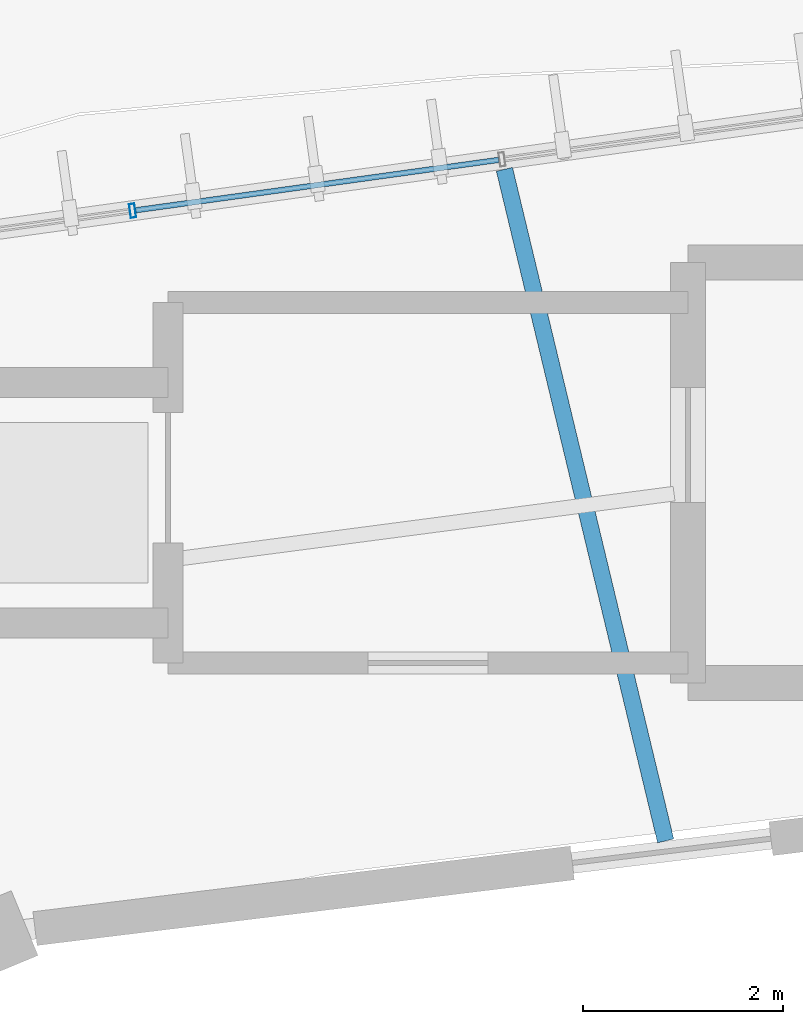
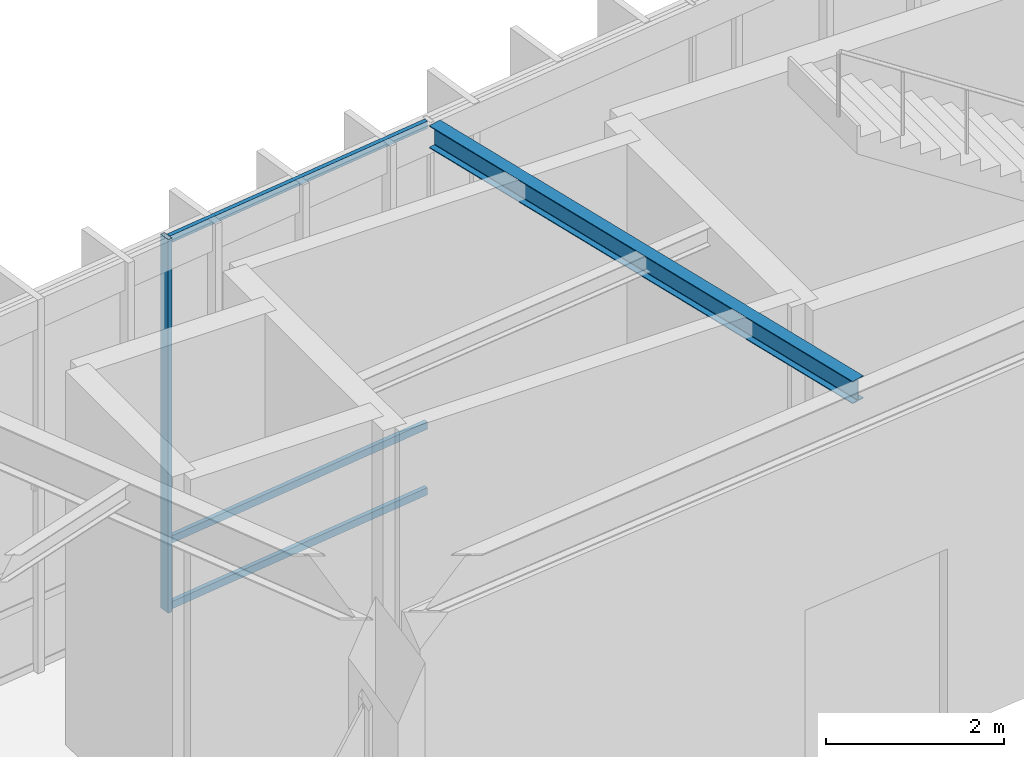
# One storey, part 71 of 157: 4 members, 1 beam, 1 element without a shape of its own.
"""IFC4 building model written with IfcOpenShell, lengths in metres."""

from ifc_helpers import new_model, si_unit, direction, frame, origin, origin_2d, place, context, subcontext, project, spatial, hollow_rectangle, i_section, extrude, material, material_profile, profile_set, type_object, element, aggregate, save


model = new_model("IFC4")

# Units and contexts
model_context = context("Model", 3, precision=1e-05, world=origin(), true_north=direction((0.0, 1.0)))
body_context = subcontext(model_context, "Body", "Model", "MODEL_VIEW")
ifc_project = project(units=[si_unit("LENGTHUNIT", "METRE"), si_unit("AREAUNIT", "SQUARE_METRE"), si_unit("VOLUMEUNIT", "CUBIC_METRE"), si_unit("PLANEANGLEUNIT", "RADIAN"), si_unit("MASSUNIT", "GRAM", prefix="KILO"), si_unit("THERMODYNAMICTEMPERATUREUNIT", "KELVIN"), si_unit("POWERUNIT", "WATT")], contexts=[model_context])

# Site, building, storey
site_placement = place(None, origin())
site = spatial("IfcSite", under=ifc_project, at=site_placement, CompositionType="ELEMENT")
building_placement = place(site_placement, origin())
building = spatial("IfcBuilding", under=site, at=building_placement, Name="Darbajah Civic Hall", CompositionType="ELEMENT")
storey_placement = place(building_placement, origin())
storey = spatial("IfcBuildingStorey", under=building, at=storey_placement, Name="L00", CompositionType="ELEMENT", Elevation=0.0)

# Curtain wall, members
ifc_material_1 = material(Name="Anodised Bronze Aluminium and Low-E Glazing", Category="aluminium")
curtain_wall_type = type_object("IfcCurtainWallType", Name="Unitised Curtain Wall CW-05 14900x5100", PredefinedType="USERDEFINED", material=ifc_material_1)
curtain_wall_placement = place(storey_placement, origin())
curtain_wall = element("IfcCurtainWall", 1, at=curtain_wall_placement, inside=storey, type_object=curtain_wall_type, Name="L00 unitised curtain wall CW-V1O-L00-05", ObjectType="UNITISED CURTAIN WALL", PredefinedType="USERDEFINED")
ifc_material_2 = material(Name="Anodised Bronze Aluminium", Category="aluminium")
ifc_material_profile_1 = material_profile(ifc_material_2, hollow_rectangle(XDim=0.054931640625, YDim=0.139892578125, WallThickness=0.003173828125, at=origin_2d()), Name="ALU MULLION 55x140")
ifc_profile_set_1 = profile_set([ifc_material_profile_1], Name="Anodised Bronze Aluminium")
member_type_1 = type_object("IfcMemberType", Name="ALU MULLION 55x140", PredefinedType="MULLION", material=ifc_profile_set_1)
member_1_placement = place(storey_placement, frame((73.648681640625, 117.618896484375, 0.0), z_axis=(0.0, 0.0, 1.0), x_axis=(-0.990485459553, -0.137617420457, 0.0)))
member_1 = element("IfcMember", 2, at=member_1_placement, type_object=member_type_1, Name="CW-V1O-L00-05 mullion 4", PredefinedType="MULLION", context=body_context, shape_type="SweptSolid", body=[
    extrude(hollow_rectangle(XDim=0.054931640625, YDim=0.139892578125, WallThickness=0.003173828125, at=origin_2d()), origin(), (0.0, 0.0, 1.0), 5.1201171875),
])
ifc_material_profile_2 = material_profile(ifc_material_2, hollow_rectangle(XDim=0.054931640625, YDim=0.10009765625, WallThickness=0.0029296875, at=origin_2d()), Name="ALU TRANSOM 55x100")
ifc_profile_set_2 = profile_set([ifc_material_profile_2], Name="Anodised Bronze Aluminium")
member_type_2 = type_object("IfcMemberType", Name="ALU TRANSOM 55x100", PredefinedType="USERDEFINED", material=ifc_profile_set_2)
member_2_placement = place(storey_placement, frame((77.30859375, 118.127197265625, 0.050048828125), z_axis=(-0.99049908429, -0.137519322356, 0.0), x_axis=(0.137519322356, -0.99049908429, 0.0)))
member_2 = element("IfcMember", 3, at=member_2_placement, type_object=member_type_2, Name="CW-V1O-L00-05 transom 3.1", ObjectType="TRANSOM", PredefinedType="USERDEFINED", context=body_context, shape_type="SweptSolid", body=[
    extrude(hollow_rectangle(XDim=0.054931640625, YDim=0.10009765625, WallThickness=0.0029296875, at=origin_2d()), origin(), (0.0, 0.0, 1.0), 3.66259765625),
])
member_3_placement = place(storey_placement, frame((77.30859375, 118.127197265625, 0.949951171875), z_axis=(-0.99049908429, -0.137519322356, 0.0), x_axis=(0.137519322356, -0.99049908429, 0.0)))
member_3 = element("IfcMember", 4, at=member_3_placement, type_object=member_type_2, Name="CW-V1O-L00-05 transom 3.2", ObjectType="TRANSOM", PredefinedType="USERDEFINED", context=body_context, shape_type="SweptSolid", body=[
    extrude(hollow_rectangle(XDim=0.054931640625, YDim=0.10009765625, WallThickness=0.0029296875, at=origin_2d()), origin(), (0.0, 0.0, 1.0), 3.66259765625),
])
member_4_placement = place(storey_placement, frame((77.30859375, 118.127197265625, 5.070068359375), z_axis=(-0.99049908429, -0.137519322356, 0.0), x_axis=(0.137519322356, -0.99049908429, 0.0)))
member_4 = element("IfcMember", 5, at=member_4_placement, type_object=member_type_2, Name="CW-V1O-L00-05 transom 3.3", ObjectType="TRANSOM", PredefinedType="USERDEFINED", context=body_context, shape_type="SweptSolid", body=[
    extrude(hollow_rectangle(XDim=0.054931640625, YDim=0.10009765625, WallThickness=0.0029296875, at=origin_2d()), origin(), (0.0, 0.0, 1.0), 3.66259765625),
])
aggregate(curtain_wall, [member_1, member_2, member_3, member_4])

# Beam
ifc_material_3 = material(Name="Steel S355JR", Category="steel")
ifc_material_profile_3 = material_profile(ifc_material_3, i_section(OverallWidth=0.165771484375, OverallDepth=0.306640625, WebThickness=0.006591796875, FlangeThickness=0.01171875, FilletRadius=0.0087890625, at=origin_2d()), Name="UB 305x165x46")
ifc_profile_set_3 = profile_set([ifc_material_profile_3], Name="Steel S355JR")
beam_type = type_object("IfcBeamType", Name="UB 305x165x46", PredefinedType="JOIST", material=ifc_profile_set_3)
beam_placement = place(storey_placement, frame((78.976318359375, 111.320068359375, 4.966796875), z_axis=(-0.233446518106, 0.972369643286, 0.0), x_axis=(-0.972369643286, -0.233446518106, 0.0)))
element("IfcBeam", 6, at=beam_placement, inside=storey, type_object=beam_type, Name="L00 beam SJ-305", PredefinedType="JOIST", context=body_context, shape_type="SweptSolid", body=[
    extrude(i_section(OverallWidth=0.165771484375, OverallDepth=0.306640625, WebThickness=0.006591796875, FlangeThickness=0.01171875, FilletRadius=0.0087890625, at=origin_2d()), origin(), (0.0, 0.0, 1.0), 6.9033203125),
])

save(model, "model.ifc")
